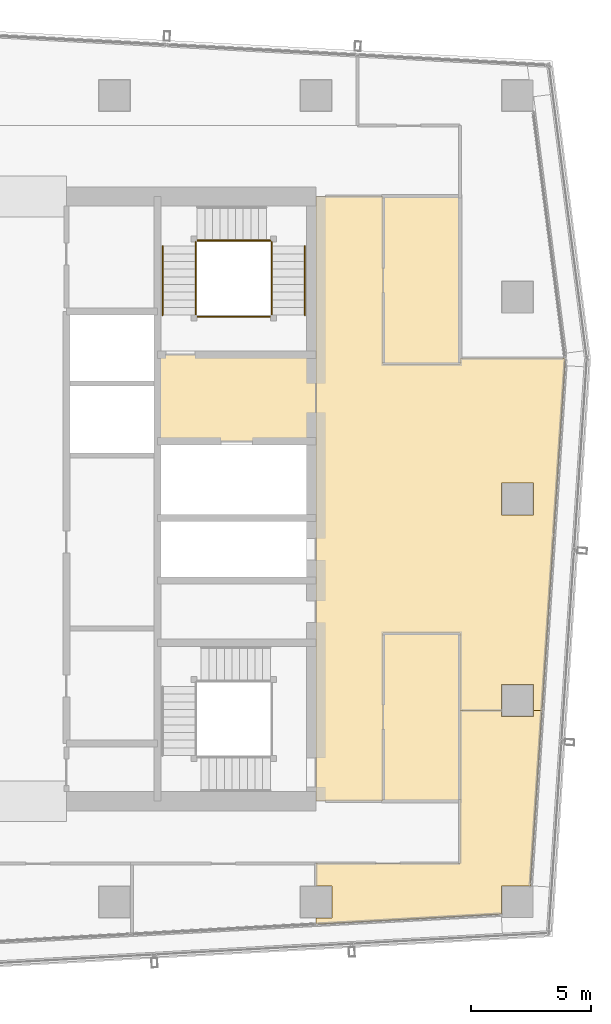
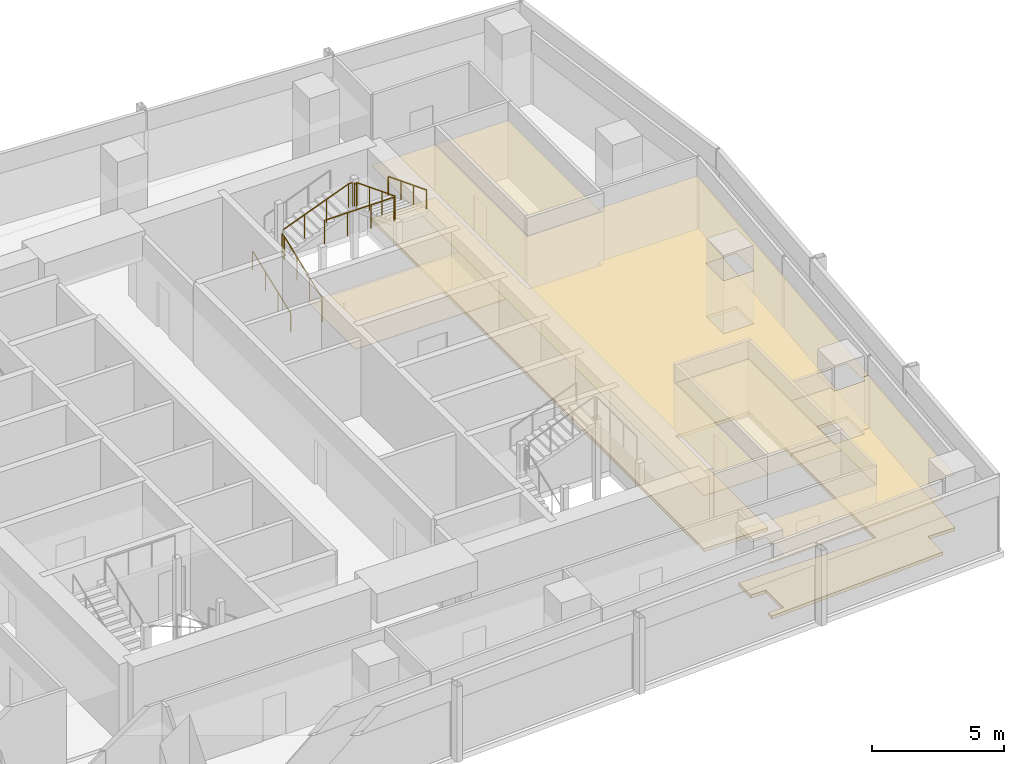
# One storey, part 29 of 30: 9 railings, 7 coverings.
"""IFC4 building model written with IfcOpenShell, lengths in metres."""

from ifc_helpers import new_model, si_unit, direction, frame, origin, origin_2d, place, context, subcontext, project, spatial, polyline, circle, outline, extrude, material, layer, layer_set, type_object, element, save


model = new_model("IFC4")

# Units and contexts
model_context = context("Model", 3, precision=1e-05, world=origin(), true_north=direction((0.0, 1.0)))
body_context = subcontext(model_context, "Body", "Model", "MODEL_VIEW")
ifc_project = project(units=[si_unit("LENGTHUNIT", "METRE"), si_unit("AREAUNIT", "SQUARE_METRE"), si_unit("VOLUMEUNIT", "CUBIC_METRE"), si_unit("PLANEANGLEUNIT", "RADIAN"), si_unit("MASSUNIT", "GRAM", prefix="KILO")], contexts=[model_context])

# Site, building, storey
site_placement = place(None, origin())
site = spatial("IfcSite", under=ifc_project, at=site_placement, CompositionType="ELEMENT")
building_placement = place(site_placement, origin())
building = spatial("IfcBuilding", under=site, at=building_placement, Name="Rekha Terrace Tower", CompositionType="ELEMENT")
storey_placement = place(building_placement, frame((0.0, 0.0, 265.10009765625)))
storey = spatial("IfcBuildingStorey", under=building, at=storey_placement, Name="L67", CompositionType="ELEMENT", Elevation=265.10009765625)

# Coverings
ifc_material_1 = material(Name="Mineral fibre tile in exposed grid", Category="finish")
ifc_layer_1 = layer(ifc_material_1, 0.02001953125)
ifc_layer_set_1 = layer_set([ifc_layer_1], Name="Mineral fibre tile in exposed grid")
covering_type_1 = type_object("IfcCoveringType", Name="CL1 600x1200 office grid ceiling", PredefinedType="CEILING", material=ifc_layer_set_1)
covering_1_placement = place(storey_placement, frame((0.0, 0.0, 2.579833984375)))
element("IfcCovering", 1, at=covering_1_placement, inside=storey, type_object=covering_type_1, Name="Ceiling L67-02", PredefinedType="CEILING", context=body_context, shape_type="SweptSolid", body=[
    extrude(outline(polyline([(59.465087890625, 25.864990234375), (59.465087890625, 24.787109375), (59.81494140625, 24.787109375), (60.300048828125, 32.095947265625), (60.300048828125, 32.096923828125), (60.787109375, 39.43896484375), (56.39990234375, 39.43896484375), (56.39990234375, 39.199951171875), (53.199951171875, 39.199951171875), (53.199951171875, 46.199951171875), (50.39990234375, 46.199951171875), (50.39990234375, 21.0), (53.199951171875, 21.0), (53.199951171875, 28.0), (56.39990234375, 28.0), (56.39990234375, 24.787109375), (58.135009765625, 24.787109375), (58.135009765625, 25.864990234375), (59.465087890625, 25.864990234375)]), holes=[polyline([(59.465087890625, 34.264892578125), (59.465087890625, 32.93505859375), (58.135009765625, 32.93505859375), (58.135009765625, 34.264892578125), (59.465087890625, 34.264892578125)])]), origin(), (0.0, 0.0, 1.0), 0.02001953125),
])
covering_2_placement = place(storey_placement, frame((0.0, 0.0, 2.579833984375)))
element("IfcCovering", 2, at=covering_2_placement, inside=storey, type_object=covering_type_1, Name="Ceiling L67-09", PredefinedType="CEILING", context=body_context, shape_type="SweptSolid", body=[
    extrude(outline(polyline([(58.135009765625, 24.534912109375), (58.135009765625, 24.785888671875), (56.39990234375, 24.785888671875), (56.39990234375, 18.39990234375), (50.40087890625, 18.39990234375), (50.40087890625, 17.465087890625), (51.06494140625, 17.465087890625), (51.06494140625, 16.135009765625), (50.40087890625, 16.135009765625), (50.40087890625, 15.875), (58.135009765625, 16.2958984375), (58.135009765625, 17.465087890625), (59.327880859375, 17.465087890625), (59.81396484375, 24.785888671875), (59.465087890625, 24.785888671875), (59.465087890625, 24.534912109375), (58.135009765625, 24.534912109375)])), origin(), (0.0, 0.0, 1.0), 0.02001953125),
])
ifc_material_2 = material(Name="Fibre cement board", Category="finish")
ifc_layer_2 = layer(ifc_material_2, 0.014892578125)
ifc_layer_set_2 = layer_set([ifc_layer_2], Name="Fibre cement board")
covering_type_2 = type_object("IfcCoveringType", Name="CL2 moisture-resistant board ceiling", PredefinedType="CEILING", material=ifc_layer_set_2)
covering_3_placement = place(storey_placement, frame((0.0, 0.0, 2.5849609375)))
element("IfcCovering", 3, at=covering_3_placement, inside=storey, type_object=covering_type_2, Name="Ceiling L67-WCF", PredefinedType="CEILING", context=body_context, shape_type="SweptSolid", body=[
    extrude(outline(polyline([(56.39990234375, 46.199951171875), (53.199951171875, 46.199951171875), (53.199951171875, 39.199951171875), (56.39990234375, 39.199951171875), (56.39990234375, 46.199951171875)])), origin(), (0.0, 0.0, 1.0), 0.014892578125),
])
covering_4_placement = place(storey_placement, frame((0.0, 0.0, 2.5849609375)))
element("IfcCovering", 4, at=covering_4_placement, inside=storey, type_object=covering_type_2, Name="Ceiling L67-WCM2", PredefinedType="CEILING", context=body_context, shape_type="SweptSolid", body=[
    extrude(outline(polyline([(56.39990234375, 28.0), (53.199951171875, 28.0), (53.199951171875, 21.0), (56.39990234375, 21.0), (56.39990234375, 28.0)])), origin(), (0.0, 0.0, 1.0), 0.014892578125),
])
ifc_material_3 = material(Name="Powder-coated aluminium pan", Category="aluminium")
ifc_layer_3 = layer(ifc_material_3, 0.030029296875)
ifc_layer_set_3 = layer_set([ifc_layer_3], Name="Powder-coated aluminium pan")
covering_type_3 = type_object("IfcCoveringType", Name="CL3 300x1200 metal pan ceiling", PredefinedType="CEILING", material=ifc_layer_set_3)
covering_5_placement = place(storey_placement, frame((0.0, 0.0, 2.56982421875)))
element("IfcCovering", 5, at=covering_5_placement, inside=storey, type_object=covering_type_3, Name="Ceiling L67-FLB2", PredefinedType="CEILING", context=body_context, shape_type="SweptSolid", body=[
    extrude(outline(polyline([(50.39990234375, 39.60009765625), (43.800048828125, 39.60009765625), (43.800048828125, 36.0), (50.39990234375, 36.0), (50.39990234375, 39.60009765625)])), origin(), (0.0, 0.0, 1.0), 0.030029296875),
])

# Railings
ifc_material_4 = material(Name="Stainless steel balustrade", Category="steel")
railing_type_1 = type_object("IfcRailingType", Name="GR1 1100 stair guard", PredefinedType="GUARDRAIL", material=ifc_material_4)
railing_1_placement = place(storey_placement, frame((45.389892578125, 41.25, 0.125)))
element("IfcRailing", 6, at=railing_1_placement, inside=storey, type_object=railing_type_1, Name="Guard ST2 L67 flight 1", PredefinedType="GUARDRAIL", context=body_context, shape_type="SweptSolid", body=[
    extrude(circle(Radius=0.02392578125, at=origin_2d()), frame((0.0, 0.0, 1.076171875), z_axis=(0.0, 0.931452331594, 0.363863372667), x_axis=(-1.0, 0.0, 0.0)), (0.0, 0.0, 1.0), 3.091796875),
    extrude(circle(Radius=0.02099609375, at=origin_2d()), origin(), (0.0, 0.0, 1.0), 1.052001953125),
    extrude(circle(Radius=0.02099609375, at=origin_2d()), frame((0.0, 0.9599609375, 0.375)), (0.0, 0.0, 1.0), 1.052001953125),
    extrude(circle(Radius=0.02099609375, at=origin_2d()), frame((0.0, 1.919921875, 0.75)), (0.0, 0.0, 1.0), 1.052001953125),
    extrude(circle(Radius=0.02099609375, at=origin_2d()), frame((0.0, 2.8798828125, 1.125)), (0.0, 0.0, 1.0), 1.052001953125),
])
railing_2_placement = place(storey_placement, frame((45.449951171875, 44.360107421875, 1.375)))
element("IfcRailing", 7, at=railing_2_placement, inside=storey, type_object=railing_type_1, Name="Guard ST2 L67 flight 2", PredefinedType="GUARDRAIL", context=body_context, shape_type="SweptSolid", body=[
    extrude(circle(Radius=0.02392578125, at=origin_2d()), frame((0.0, 0.0, 1.076171875), z_axis=(0.931462784923, 0.0, 0.363836612098), x_axis=(0.0, 1.0, 0.0)), (0.0, 0.0, 1.0), 3.092041015625),
    extrude(circle(Radius=0.02099609375, at=origin_2d()), origin(), (0.0, 0.0, 1.0), 1.052001953125),
    extrude(circle(Radius=0.02099609375, at=origin_2d()), frame((0.9599609375, 0.0, 0.375)), (0.0, 0.0, 1.0), 1.052001953125),
    extrude(circle(Radius=0.02099609375, at=origin_2d()), frame((1.920166015625, 0.0, 0.75)), (0.0, 0.0, 1.0), 1.052001953125),
    extrude(circle(Radius=0.02099609375, at=origin_2d()), frame((2.880126953125, 0.0, 1.125)), (0.0, 0.0, 1.0), 1.052001953125),
])
railing_3_placement = place(storey_placement, frame((48.56005859375, 44.1298828125, 2.625)))
element("IfcRailing", 8, at=railing_3_placement, inside=storey, type_object=railing_type_1, Name="Guard ST2 L67 flight 3", PredefinedType="GUARDRAIL", context=body_context, shape_type="SweptSolid", body=[
    extrude(circle(Radius=0.02392578125, at=origin_2d()), frame((0.0, 0.0, 1.076171875), z_axis=(0.0, -0.931452331594, 0.363863372667), x_axis=(1.0, 0.0, 0.0)), (0.0, 0.0, 1.0), 3.091796875),
    extrude(circle(Radius=0.02099609375, at=origin_2d()), origin(), (0.0, 0.0, 1.0), 1.052001953125),
    extrude(circle(Radius=0.02099609375, at=origin_2d()), frame((0.0, -0.9599609375, 0.375)), (0.0, 0.0, 1.0), 1.052001953125),
    extrude(circle(Radius=0.02099609375, at=origin_2d()), frame((0.0, -1.919921875, 0.75)), (0.0, 0.0, 1.0), 1.052001953125),
    extrude(circle(Radius=0.02099609375, at=origin_2d()), frame((0.0, -2.8798828125, 1.125)), (0.0, 0.0, 1.0), 1.052001953125),
])
railing_4_placement = place(storey_placement, frame((45.389892578125, 44.1298828125, 1.25)))
element("IfcRailing", 9, at=railing_4_placement, inside=storey, type_object=railing_type_1, Name="Guard ST2 L67 landing 1", PredefinedType="GUARDRAIL", context=body_context, shape_type="SweptSolid", body=[
    extrude(circle(Radius=0.02392578125, at=origin_2d()), frame((0.0, 0.0, 1.076171875), z_axis=(0.0, 1.0, 0.0), x_axis=(-1.0, 0.0, 0.0)), (0.0, 0.0, 1.0), 0.170166015625),
    extrude(circle(Radius=0.02099609375, at=origin_2d()), origin(), (0.0, 0.0, 1.0), 1.052001953125),
    extrude(circle(Radius=0.02099609375, at=origin_2d()), frame((0.0, 0.170166015625, 0.0)), (0.0, 0.0, 1.0), 1.052001953125),
])
railing_5_placement = place(storey_placement, frame((48.330078125, 44.360107421875, 2.5)))
element("IfcRailing", 10, at=railing_5_placement, inside=storey, type_object=railing_type_1, Name="Guard ST2 L67 landing 2", PredefinedType="GUARDRAIL", context=body_context, shape_type="SweptSolid", body=[
    extrude(circle(Radius=0.02392578125, at=origin_2d()), frame((0.0, 0.0, 1.076171875), z_axis=(1.0, 0.0, 0.0), x_axis=(0.0, 1.0, 0.0)), (0.0, 0.0, 1.0), 0.169921875),
    extrude(circle(Radius=0.02099609375, at=origin_2d()), origin(), (0.0, 0.0, 1.0), 1.052001953125),
    extrude(circle(Radius=0.02099609375, at=origin_2d()), frame((0.169921875, 0.0, 0.0)), (0.0, 0.0, 1.0), 1.052001953125),
])
railing_6_placement = place(storey_placement, frame((48.56005859375, 44.1298828125, 2.5)))
element("IfcRailing", 11, at=railing_6_placement, inside=storey, type_object=railing_type_1, Name="Guard ST2 L67 landing 3", PredefinedType="GUARDRAIL", context=body_context, shape_type="SweptSolid", body=[
    extrude(circle(Radius=0.02392578125, at=origin_2d()), frame((0.0, 0.0, 1.076171875), z_axis=(0.0, 1.0, 0.0), x_axis=(-1.0, 0.0, 0.0)), (0.0, 0.0, 1.0), 0.170166015625),
    extrude(circle(Radius=0.02099609375, at=origin_2d()), origin(), (0.0, 0.0, 1.0), 1.052001953125),
    extrude(circle(Radius=0.02099609375, at=origin_2d()), frame((0.0, 0.170166015625, 0.0)), (0.0, 0.0, 1.0), 1.052001953125),
])
railing_7_placement = place(storey_placement, frame((45.449951171875, 41.18994140625, 3.75)))
element("IfcRailing", 12, at=railing_7_placement, inside=storey, type_object=railing_type_1, Name="Guard ST2 L67 landing 4", PredefinedType="GUARDRAIL", context=body_context, shape_type="SweptSolid", body=[
    extrude(circle(Radius=0.02392578125, at=origin_2d()), frame((0.0, 0.0, 1.076171875), z_axis=(1.0, 0.0, 0.0), x_axis=(0.0, 1.0, 0.0)), (0.0, 0.0, 1.0), 3.050048828125),
    extrude(circle(Radius=0.02099609375, at=origin_2d()), origin(), (0.0, 0.0, 1.0), 1.052001953125),
    extrude(circle(Radius=0.02099609375, at=origin_2d()), frame((1.0166015625, 0.0, 0.0)), (0.0, 0.0, 1.0), 1.052001953125),
    extrude(circle(Radius=0.02099609375, at=origin_2d()), frame((2.033447265625, 0.0, 0.0)), (0.0, 0.0, 1.0), 1.052001953125),
    extrude(circle(Radius=0.02099609375, at=origin_2d()), frame((3.050048828125, 0.0, 0.0)), (0.0, 0.0, 1.0), 1.052001953125),
])
ifc_material_5 = material(Name="Stainless steel tube", Category="steel")
railing_type_2 = type_object("IfcRailingType", Name="HR1 900 stair handrail", PredefinedType="HANDRAIL", material=ifc_material_5)
railing_8_placement = place(storey_placement, frame((44.010009765625, 41.25, 0.125)))
element("IfcRailing", 13, at=railing_8_placement, inside=storey, type_object=railing_type_2, Name="Handrail ST2 L67 flight 1", PredefinedType="HANDRAIL", context=body_context, shape_type="SweptSolid", body=[
    extrude(circle(Radius=0.02392578125, at=origin_2d()), frame((0.0, 0.0, 0.8759765625), z_axis=(0.0, 0.931452331594, 0.363863372667), x_axis=(-1.0, 0.0, 0.0)), (0.0, 0.0, 1.0), 3.091796875),
    extrude(circle(Radius=0.02099609375, at=origin_2d()), origin(), (0.0, 0.0, 1.0), 0.851806640625),
    extrude(circle(Radius=0.02099609375, at=origin_2d()), frame((0.0, 0.9599609375, 0.375)), (0.0, 0.0, 1.0), 0.851806640625),
    extrude(circle(Radius=0.02099609375, at=origin_2d()), frame((0.0, 1.919921875, 0.75)), (0.0, 0.0, 1.0), 0.851806640625),
    extrude(circle(Radius=0.02099609375, at=origin_2d()), frame((0.0, 2.8798828125, 1.125)), (0.0, 0.0, 1.0), 0.851806640625),
])
railing_9_placement = place(storey_placement, frame((49.93994140625, 44.1298828125, 2.625)))
element("IfcRailing", 14, at=railing_9_placement, inside=storey, type_object=railing_type_2, Name="Handrail ST2 L67 flight 3", PredefinedType="HANDRAIL", context=body_context, shape_type="SweptSolid", body=[
    extrude(circle(Radius=0.02392578125, at=origin_2d()), frame((0.0, 0.0, 0.8759765625), z_axis=(0.0, -0.931452331594, 0.363863372667), x_axis=(1.0, 0.0, 0.0)), (0.0, 0.0, 1.0), 3.091796875),
    extrude(circle(Radius=0.02099609375, at=origin_2d()), origin(), (0.0, 0.0, 1.0), 0.851806640625),
    extrude(circle(Radius=0.02099609375, at=origin_2d()), frame((0.0, -0.9599609375, 0.375)), (0.0, 0.0, 1.0), 0.851806640625),
    extrude(circle(Radius=0.02099609375, at=origin_2d()), frame((0.0, -1.919921875, 0.75)), (0.0, 0.0, 1.0), 0.851806640625),
    extrude(circle(Radius=0.02099609375, at=origin_2d()), frame((0.0, -2.8798828125, 1.125)), (0.0, 0.0, 1.0), 0.851806640625),
])

# Coverings
ifc_material_6 = material(Name="Calcium sulphate panels on steel pedestals", Category="steel")
ifc_layer_4 = layer(ifc_material_6, 0.14990234375)
ifc_layer_set_4 = layer_set([ifc_layer_4], Name="Calcium sulphate panels on steel pedestals")
covering_type_4 = type_object("IfcCoveringType", Name="RF1 150 raised access floor", PredefinedType="FLOORING", material=ifc_layer_set_4)
covering_6_placement = place(storey_placement, origin())
element("IfcCovering", 15, at=covering_6_placement, inside=storey, type_object=covering_type_4, Name="Raised floor L67-02", PredefinedType="FLOORING", context=body_context, shape_type="SweptSolid", body=[
    extrude(outline(polyline([(59.465087890625, 25.864990234375), (59.465087890625, 24.787109375), (59.81494140625, 24.787109375), (60.300048828125, 32.095947265625), (60.300048828125, 32.096923828125), (60.787109375, 39.43896484375), (56.39990234375, 39.43896484375), (56.39990234375, 39.199951171875), (53.199951171875, 39.199951171875), (53.199951171875, 46.199951171875), (50.39990234375, 46.199951171875), (50.39990234375, 21.0), (53.199951171875, 21.0), (53.199951171875, 28.0), (56.39990234375, 28.0), (56.39990234375, 24.787109375), (58.135009765625, 24.787109375), (58.135009765625, 25.864990234375), (59.465087890625, 25.864990234375)]), holes=[polyline([(59.465087890625, 34.264892578125), (59.465087890625, 32.93505859375), (58.135009765625, 32.93505859375), (58.135009765625, 34.264892578125), (59.465087890625, 34.264892578125)])]), origin(), (0.0, 0.0, 1.0), 0.14990234375),
])
covering_7_placement = place(storey_placement, origin())
element("IfcCovering", 16, at=covering_7_placement, inside=storey, type_object=covering_type_4, Name="Raised floor L67-09", PredefinedType="FLOORING", context=body_context, shape_type="SweptSolid", body=[
    extrude(outline(polyline([(58.135009765625, 24.534912109375), (58.135009765625, 24.785888671875), (56.39990234375, 24.785888671875), (56.39990234375, 18.39990234375), (50.40087890625, 18.39990234375), (50.40087890625, 17.465087890625), (51.06494140625, 17.465087890625), (51.06494140625, 16.135009765625), (50.40087890625, 16.135009765625), (50.40087890625, 15.875), (58.135009765625, 16.2958984375), (58.135009765625, 17.465087890625), (59.327880859375, 17.465087890625), (59.81396484375, 24.785888671875), (59.465087890625, 24.785888671875), (59.465087890625, 24.534912109375), (58.135009765625, 24.534912109375)])), origin(), (0.0, 0.0, 1.0), 0.14990234375),
])

save(model, "model.ifc")
